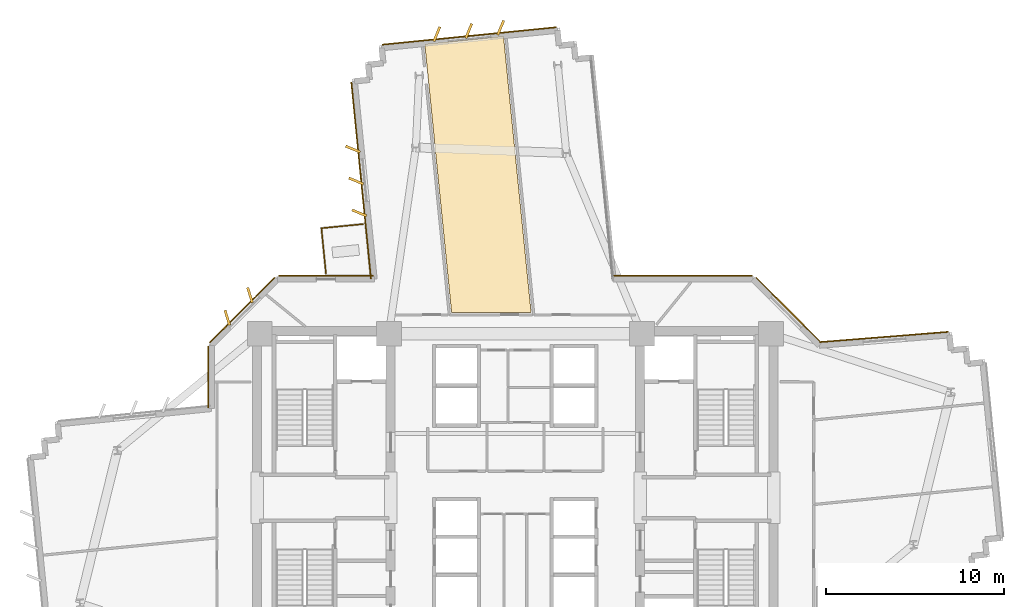
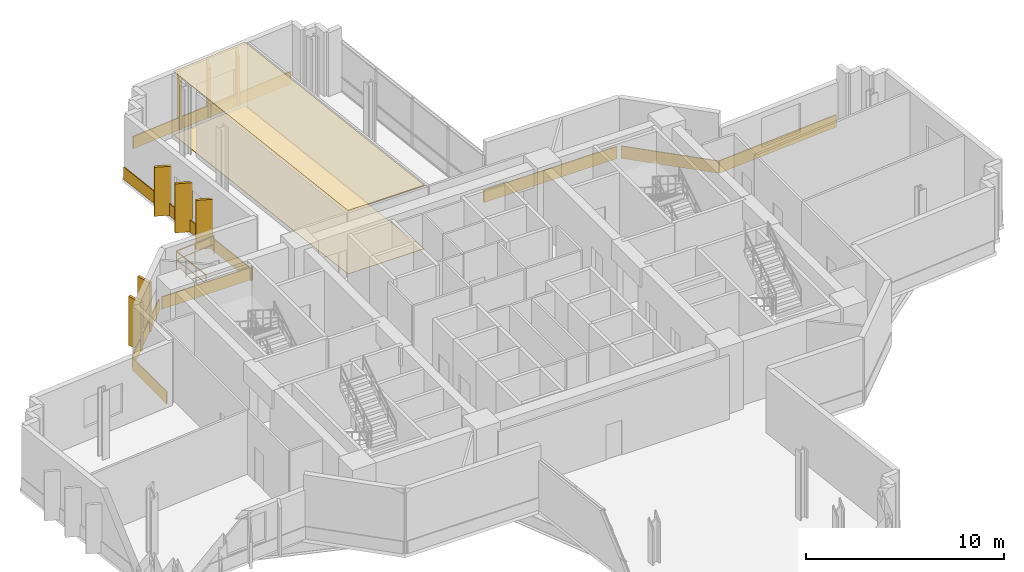
# One storey, part 14 of 14: 18 coverings, 2 railings.
"""IFC4 building model written with IfcOpenShell, lengths in metres."""

from ifc_helpers import new_model, si_unit, direction, frame, origin, origin_2d, place, context, subcontext, project, spatial, polyline, rectangle, outline, extrude, source, transform, mapped, material, layer, layer_set, type_object, element, save


model = new_model("IFC4")

# Units and contexts
model_context = context("Model", 3, precision=1e-05, world=origin(), true_north=direction((0.0, 1.0)))
body_context = subcontext(model_context, "Body", "Model", "MODEL_VIEW")
ifc_project = project(units=[si_unit("LENGTHUNIT", "METRE"), si_unit("AREAUNIT", "SQUARE_METRE"), si_unit("VOLUMEUNIT", "CUBIC_METRE"), si_unit("PLANEANGLEUNIT", "RADIAN"), si_unit("MASSUNIT", "GRAM", prefix="KILO")], contexts=[model_context])

# Site, building, storey
site_placement = place(None, origin())
site = spatial("IfcSite", under=ifc_project, at=site_placement, CompositionType="ELEMENT")
building_placement = place(site_placement, origin())
building = spatial("IfcBuilding", under=site, at=building_placement, Name="Zahravan Cultural Tower", CompositionType="ELEMENT")
storey_placement = place(building_placement, frame((0.0, 0.0, 100.5)))
storey = spatial("IfcBuildingStorey", under=building, at=storey_placement, Name="L22", CompositionType="ELEMENT", Elevation=100.5)

# Coverings
ifc_material_1 = material(Name="Acoustic mineral fibreboard")
ifc_layer_1 = layer(ifc_material_1, 0.0400390625)
ifc_layer_set_1 = layer_set([ifc_layer_1], Name="Acoustic mineral fibreboard")
covering_type_1 = type_object("IfcCoveringType", Name="COV-CEIL-AC20", PredefinedType="CEILING", material=ifc_layer_set_1)
covering_1_placement = place(storey_placement, frame((0.0, 0.0, 3.909912109375)))
element("IfcCovering", 1, at=covering_1_placement, inside=storey, type_object=covering_type_1, Name="L22 Acoustic Suspended Ceiling", PredefinedType="CEILING", context=body_context, shape_type="SweptSolid", body=[
    extrude(outline(polyline([(30.916015625, 52.4609375), (32.41943359375, 37.39990234375), (36.88134765625, 37.39990234375), (35.333984375, 52.90185546875), (30.916015625, 52.4609375)])), origin(), (0.0, 0.0, 1.0), 0.0400390625),
])
ifc_material_2 = material(Name="Terrazzo flooring")
ifc_layer_2 = layer(ifc_material_2, 0.02490234375)
ifc_layer_set_2 = layer_set([ifc_layer_2], Name="Terrazzo flooring")
covering_type_2 = type_object("IfcCoveringType", Name="COV-FLR-TZ25", PredefinedType="FLOORING", material=ifc_layer_set_2)
covering_2_placement = place(storey_placement, origin())
element("IfcCovering", 2, at=covering_2_placement, inside=storey, type_object=covering_type_2, Name="L22 Polished Terrazzo Flooring", PredefinedType="FLOORING", context=body_context, shape_type="SweptSolid", body=[
    extrude(outline(polyline([(30.916015625, 52.4609375), (32.41943359375, 37.39990234375), (36.88134765625, 37.39990234375), (35.333984375, 52.90185546875), (30.916015625, 52.4609375)])), origin(), (0.0, 0.0, 1.0), 0.02490234375),
])

# Railings
ifc_material_3 = material(Name="Steel ASTM A572 Grade 50", Category="steel")
railing_type = type_object("IfcRailingType", Name="RL-BAL-1150", PredefinedType="BALUSTRADE", material=ifc_material_3)
railing_1_placement = place(storey_placement, frame((25.114013671875, 42.12353515625, 0.0)))
element("IfcRailing", 3, at=railing_1_placement, inside=storey, type_object=railing_type, Name="L22 Edge Balustrade GRD-TR-L22-NW-01", PredefinedType="BALUSTRADE", context=body_context, shape_type="SweptSolid", body=[
    extrude(rectangle(XDim=0.05, YDim=0.05, at=origin_2d()), frame((0.0, 0.0, 1.125), z_axis=(0.995055687983, 0.099318567312, 0.0), x_axis=(-0.099318567312, 0.995055687983, 0.0)), (0.0, 0.0, 1.0), 2.35009765625),
    extrude(rectangle(XDim=0.032, YDim=0.032, at=origin_2d()), frame((0.0, 0.0, 0.597900390625), z_axis=(0.995055687983, 0.099318567312, 0.0), x_axis=(-0.099318567312, 0.995055687983, 0.0)), (0.0, 0.0, 1.0), 2.35009765625),
    extrude(rectangle(XDim=0.04, YDim=0.04, at=origin_2d()), origin(), (0.0, 0.0, 1.0), 1.14990234375),
    extrude(rectangle(XDim=0.04, YDim=0.04, at=origin_2d()), frame((1.169189453125, 0.11669921875, 0.0)), (0.0, 0.0, 1.0), 1.14990234375),
    extrude(rectangle(XDim=0.04, YDim=0.04, at=origin_2d()), frame((2.33837890625, 0.2333984375, 0.0)), (0.0, 0.0, 1.0), 1.14990234375),
])
railing_2_placement = place(storey_placement, frame((25.367919921875, 39.580078125, 0.0)))
element("IfcRailing", 4, at=railing_2_placement, inside=storey, type_object=railing_type, Name="L22 Edge Balustrade GRD-TR-L22-NW-02", PredefinedType="BALUSTRADE", context=body_context, shape_type="SweptSolid", body=[
    extrude(rectangle(XDim=0.05, YDim=0.05, at=origin_2d()), frame((0.0, 0.0, 1.125), z_axis=(-0.099333496417, 0.995054197765, 0.0), x_axis=(-0.995054197765, -0.099333496417, 0.0)), (0.0, 0.0, 1.0), 2.55615234375),
    extrude(rectangle(XDim=0.032, YDim=0.032, at=origin_2d()), frame((0.0, 0.0, 0.597900390625), z_axis=(-0.099333496417, 0.995054197765, 0.0), x_axis=(-0.995054197765, -0.099333496417, 0.0)), (0.0, 0.0, 1.0), 2.55615234375),
    extrude(rectangle(XDim=0.04, YDim=0.04, at=origin_2d()), origin(), (0.0, 0.0, 1.0), 1.14990234375),
    extrude(rectangle(XDim=0.04, YDim=0.04, at=origin_2d()), frame((-0.084716796875, 0.847900390625, 0.0)), (0.0, 0.0, 1.0), 1.14990234375),
    extrude(rectangle(XDim=0.04, YDim=0.04, at=origin_2d()), frame((-0.169189453125, 1.695556640625, 0.0)), (0.0, 0.0, 1.0), 1.14990234375),
    extrude(rectangle(XDim=0.04, YDim=0.04, at=origin_2d()), frame((-0.25390625, 2.54345703125, 0.0)), (0.0, 0.0, 1.0), 1.14990234375),
])

# Coverings
ifc_material_4 = material(Name="Terracotta ceramic cladding", Category="masonry")
ifc_layer_3 = layer(ifc_material_4, 0.06005859375)
ifc_layer_set_3 = layer_set([ifc_layer_3], Name="Terracotta ceramic cladding")
covering_type_3 = type_object("IfcCoveringType", Name="COV-CLAD-TC60", PredefinedType="CLADDING", material=ifc_layer_set_3)
shared_shape_1 = source(origin(), body_context, "Body", "SweptSolid", [
    extrude(rectangle(XDim=9.820068359375, YDim=0.06005859375, at=origin_2d()), origin(), (0.0, 0.0, 1.0), 0.760009765625),
])
covering_3_placement = place(storey_placement, frame((33.4130859375, 52.916259765625, 0.02001953125), z_axis=(0.0, 0.0, 1.0), x_axis=(0.995055569961, 0.099319749744, 0.0)))
element("IfcCovering", 5, at=covering_3_placement, inside=storey, type_object=covering_type_3, Name="L22 Terracotta Spandrel Cladding 20", PredefinedType="CLADDING", context=body_context, shape_type="MappedRepresentation", body=[
    mapped(shared_shape_1, transform((0.0, 0.0, 0.0), x_axis=(1.0, 0.0, 0.0), y_axis=(0.0, 1.0, 0.0), z_axis=(0.0, 0.0, 1.0), scale=1.0)),
])
shared_shape_2 = source(origin(), body_context, "Body", "SweptSolid", [
    extrude(rectangle(XDim=5.157958984375, YDim=0.06005859375, at=origin_2d()), origin(), (0.0, 0.0, 1.0), 0.760009765625),
])
for number, where, z_axis, x_axis, name in (
    (6, (20.668212890625, 37.53173828125, 0.02001953125), (0.0, 0.0, 1.0), (0.707106781187, 0.707106781187, 0.0), "L22 Terracotta Spandrel Cladding 13"),
    (7, (51.331787109375, 37.53173828125, 0.02001953125), (0.0, 0.0, 1.0), (0.707106781187, -0.707106781187, 0.0), "L22 Terracotta Spandrel Cladding 26"),
):
    element("IfcCovering", number, at=place(storey_placement, frame(where, z_axis=z_axis, x_axis=x_axis)), inside=storey, type_object=covering_type_3, Name=name, PredefinedType="CLADDING", context=body_context, shape_type="MappedRepresentation", body=[
        mapped(shared_shape_2, transform((0.0, 0.0, 0.0), x_axis=(1.0, 0.0, 0.0), y_axis=(0.0, 1.0, 0.0), z_axis=(0.0, 0.0, 1.0), scale=1.0)),
    ])
shared_shape_3 = source(origin(), body_context, "Body", "SweptSolid", [
    extrude(rectangle(XDim=0.8798828125, YDim=0.139892578125, at=origin_2d()), origin(), (0.0, 0.0, 1.0), 3.030029296875),
])
for number, where, z_axis, x_axis, name in (
    (8, (19.830322265625, 37.096923828125, 0.0498046875), (0.0, 0.0, 1.0), (-0.292371704723, 0.956304755963, 0.0), "L22 Herringbone Terracotta Fin 10"),
    (9, (21.10302734375, 38.36962890625, 0.0498046875), (0.0, 0.0, 1.0), (-0.292371704723, 0.956304755963, 0.0), "L22 Herringbone Terracotta Fin 11"),
    (10, (27.239501953125, 42.981689453125, 0.0498046875), (0.0, 0.0, 1.0), (-0.925209718386, 0.379456159529, 0.0), "L22 Herringbone Terracotta Fin 12"),
    (11, (27.060546875, 44.77294921875, 0.0498046875), (0.0, 0.0, 1.0), (-0.925209718386, 0.379456159529, 0.0), "L22 Herringbone Terracotta Fin 13"),
    (12, (26.8818359375, 46.56396484375, 0.0498046875), (0.0, 0.0, 1.0), (-0.925209718386, 0.379456159529, 0.0), "L22 Herringbone Terracotta Fin 14"),
    (13, (31.59375, 53.02099609375, 0.0498046875), (0.0, 0.0, 1.0), (0.379456159529, 0.925209718386, 0.0), "L22 Herringbone Terracotta Fin 15"),
    (14, (33.385009765625, 53.19970703125, 0.0498046875), (0.0, 0.0, 1.0), (0.379456159529, 0.925209718386, 0.0), "L22 Herringbone Terracotta Fin 16"),
    (15, (35.176025390625, 53.378662109375, 0.0498046875), (0.0, 0.0, 1.0), (0.379456159529, 0.925209718386, 0.0), "L22 Herringbone Terracotta Fin 17"),
):
    element("IfcCovering", number, at=place(storey_placement, frame(where, z_axis=z_axis, x_axis=x_axis)), inside=storey, type_object=covering_type_3, Name=name, PredefinedType="CLADDING", context=body_context, shape_type="MappedRepresentation", body=[
        mapped(shared_shape_3, transform((0.0, 0.0, 0.0), x_axis=(1.0, 0.0, 0.0), y_axis=(0.0, 1.0, 0.0), z_axis=(0.0, 0.0, 1.0), scale=1.0)),
    ])
shared_shape_4 = source(origin(), body_context, "Body", "SweptSolid", [
    extrude(rectangle(XDim=7.2373046875, YDim=0.06005859375, at=origin_2d()), origin(), (0.0, 0.0, 1.0), 0.760009765625),
])
covering_4_placement = place(storey_placement, frame((56.702392578125, 36.018310546875, 0.02001953125), z_axis=(0.0, 0.0, 1.0), x_axis=(0.996827683211, 0.079590011836, 0.0)))
element("IfcCovering", 16, at=covering_4_placement, inside=storey, type_object=covering_type_3, Name="L22 Terracotta Spandrel Cladding 27", PredefinedType="CLADDING", context=body_context, shape_type="MappedRepresentation", body=[
    mapped(shared_shape_4, transform((0.0, 0.0, 0.0), x_axis=(1.0, 0.0, 0.0), y_axis=(0.0, 1.0, 0.0), z_axis=(0.0, 0.0, 1.0), scale=1.0)),
])
shared_shape_5 = source(origin(), body_context, "Body", "SweptSolid", [
    extrude(rectangle(XDim=3.45166015625, YDim=0.06005859375, at=origin_2d()), origin(), (0.0, 0.0, 1.0), 0.760009765625),
])
covering_5_placement = place(storey_placement, frame((18.7548828125, 33.76611328125, 0.02001953125), z_axis=(0.0, 0.0, 1.0), x_axis=(0.0, 1.0, 0.0)))
element("IfcCovering", 17, at=covering_5_placement, inside=storey, type_object=covering_type_3, Name="L22 Terracotta Spandrel Cladding 12", PredefinedType="CLADDING", context=body_context, shape_type="MappedRepresentation", body=[
    mapped(shared_shape_5, transform((0.0, 0.0, 0.0), x_axis=(1.0, 0.0, 0.0), y_axis=(0.0, 1.0, 0.0), z_axis=(0.0, 0.0, 1.0), scale=1.0)),
])
shared_shape_6 = source(origin(), body_context, "Body", "SweptSolid", [
    extrude(rectangle(XDim=5.3251953125, YDim=0.06005859375, at=origin_2d()), origin(), (0.0, 0.0, 1.0), 0.760009765625),
])
covering_6_placement = place(storey_placement, frame((25.37060546875, 39.445068359375, 0.02001953125), z_axis=(0.0, 0.0, 1.0), x_axis=(1.0, 0.0, 0.0)))
element("IfcCovering", 18, at=covering_6_placement, inside=storey, type_object=covering_type_3, Name="L22 Terracotta Spandrel Cladding 14", PredefinedType="CLADDING", context=body_context, shape_type="MappedRepresentation", body=[
    mapped(shared_shape_6, transform((0.0, 0.0, 0.0), x_axis=(1.0, 0.0, 0.0), y_axis=(0.0, 1.0, 0.0), z_axis=(0.0, 0.0, 1.0), scale=1.0)),
])
shared_shape_7 = source(origin(), body_context, "Body", "SweptSolid", [
    extrude(rectangle(XDim=11.07421875, YDim=0.06005859375, at=origin_2d()), origin(), (0.0, 0.0, 1.0), 0.760009765625),
])
covering_7_placement = place(storey_placement, frame((27.34423828125, 44.80126953125, 0.02001953125), z_axis=(0.0, 0.0, 1.0), x_axis=(-0.099319749744, 0.995055569961, 0.0)))
element("IfcCovering", 19, at=covering_7_placement, inside=storey, type_object=covering_type_3, Name="L22 Terracotta Spandrel Cladding 15", PredefinedType="CLADDING", context=body_context, shape_type="MappedRepresentation", body=[
    mapped(shared_shape_7, transform((0.0, 0.0, 0.0), x_axis=(1.0, 0.0, 0.0), y_axis=(0.0, 1.0, 0.0), z_axis=(0.0, 0.0, 1.0), scale=1.0)),
])
shared_shape_8 = source(origin(), body_context, "Body", "SweptSolid", [
    extrude(rectangle(XDim=7.772705078125, YDim=0.06005859375, at=origin_2d()), origin(), (0.0, 0.0, 1.0), 0.760009765625),
])
covering_8_placement = place(storey_placement, frame((45.40576171875, 39.445068359375, 0.02001953125), z_axis=(0.0, 0.0, 1.0), x_axis=(1.0, 0.0, 0.0)))
element("IfcCovering", 20, at=covering_8_placement, inside=storey, type_object=covering_type_3, Name="L22 Terracotta Spandrel Cladding 25", PredefinedType="CLADDING", context=body_context, shape_type="MappedRepresentation", body=[
    mapped(shared_shape_8, transform((0.0, 0.0, 0.0), x_axis=(1.0, 0.0, 0.0), y_axis=(0.0, 1.0, 0.0), z_axis=(0.0, 0.0, 1.0), scale=1.0)),
])

save(model, "model.ifc")
